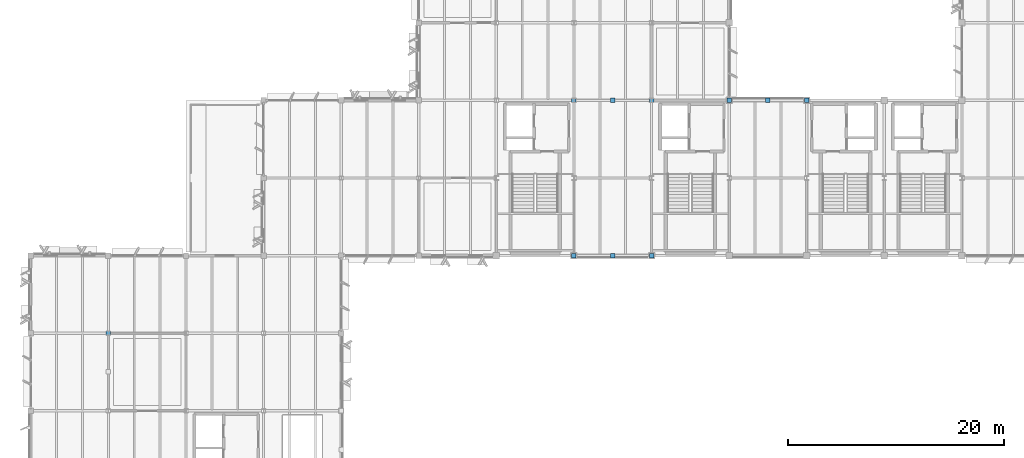
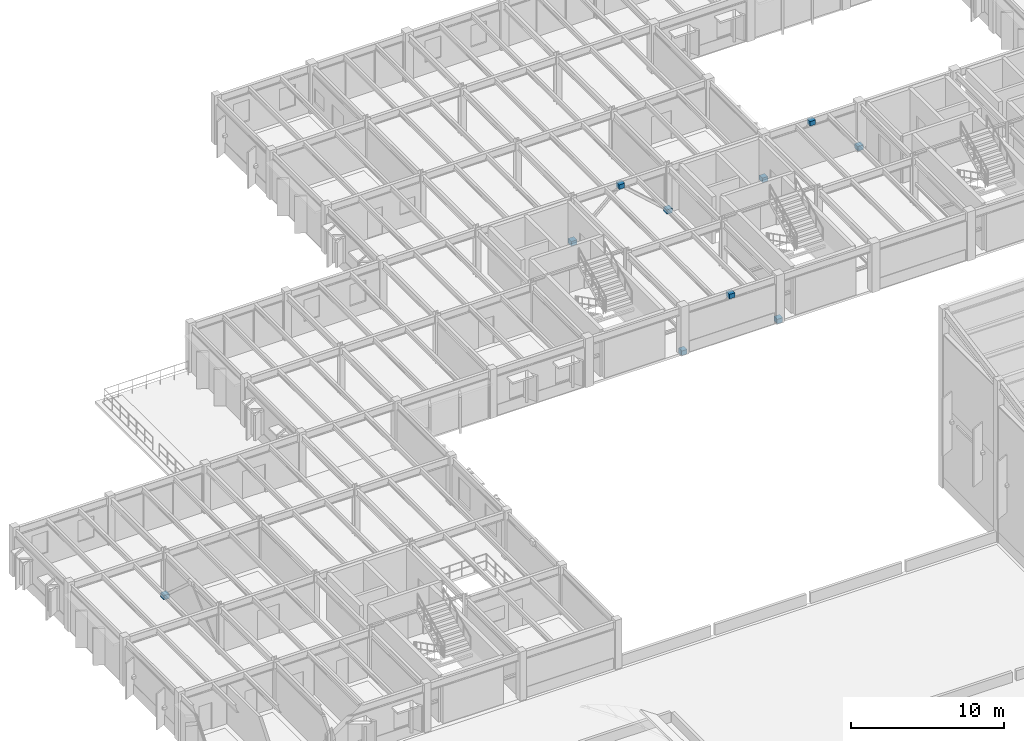
# One storey, part 29 of 82: 10 plates.
"""IFC4 building model written with IfcOpenShell, lengths in metres."""

from ifc_helpers import new_model, si_unit, direction, frame, origin, origin_2d, place, context, subcontext, project, spatial, rectangle, extrude, material, type_object, element, save


model = new_model("IFC4")

# Units and contexts
model_context = context("Model", 3, precision=1e-05, world=origin(), true_north=direction((0.0, 1.0)))
body_context = subcontext(model_context, "Body", "Model", "MODEL_VIEW")
ifc_project = project(units=[si_unit("LENGTHUNIT", "METRE"), si_unit("AREAUNIT", "SQUARE_METRE"), si_unit("VOLUMEUNIT", "CUBIC_METRE"), si_unit("PLANEANGLEUNIT", "RADIAN"), si_unit("MASSUNIT", "GRAM", prefix="KILO")], contexts=[model_context])

# Site, building, storey
site_placement = place(None, origin())
site = spatial("IfcSite", under=ifc_project, at=site_placement, CompositionType="ELEMENT")
building_placement = place(site_placement, origin())
building = spatial("IfcBuilding", under=site, at=building_placement, Name="Sillqori Civic Hall", CompositionType="ELEMENT")
storey_placement = place(building_placement, frame((0.0, 0.0, 14.10009765625)))
storey = spatial("IfcBuildingStorey", under=building, at=storey_placement, Name="L04", CompositionType="ELEMENT", Elevation=14.10009765625)

# Plates
ifc_material = material(Name="Steel ASTM A36", Category="steel")
plate_type = type_object("IfcPlateType", Name="PLT-GUSSET-20", PredefinedType="SHEET", material=ifc_material)
for number, where, z_axis, x_axis, name in (
    (1, (61.199951171875, 79.199951171875, 3.2197265625), (0.0, 0.0, 1.0), (1.0, 0.0, 0.0), "L04 chevron brace node plate APX"),
    (2, (57.60009765625, 79.199951171875, -0.0302734375), (0.0, 0.0, 1.0), (1.0, 0.0, 0.0), "L04 chevron brace node plate BSL"),
    (3, (64.800048828125, 79.199951171875, -0.0302734375), (0.0, 0.0, 1.0), (1.0, 0.0, 0.0), "L04 chevron brace node plate BSR"),
    (4, (61.199951171875, 93.60009765625, 3.2197265625), (0.0, 0.0, 1.0), (1.0, 0.0, 0.0), "L04 chevron brace node plate APX"),
    (5, (57.60009765625, 93.60009765625, -0.0302734375), (0.0, 0.0, 1.0), (1.0, 0.0, 0.0), "L04 chevron brace node plate BSL"),
    (6, (64.800048828125, 93.60009765625, -0.0302734375), (0.0, 0.0, 1.0), (1.0, 0.0, 0.0), "L04 chevron brace node plate BSR"),
    (7, (75.60009765625, 93.60009765625, 3.2197265625), (0.0, 0.0, 1.0), (1.0, 0.0, 0.0), "L04 chevron brace node plate APX"),
    (8, (72.0, 93.60009765625, -0.0302734375), (0.0, 0.0, 1.0), (1.0, 0.0, 0.0), "L04 chevron brace node plate BSL"),
    (9, (79.199951171875, 93.60009765625, -0.0302734375), (0.0, 0.0, 1.0), (1.0, 0.0, 0.0), "L04 chevron brace node plate BSR"),
    (10, (14.39990234375, 72.0, -0.0302734375), (0.0, 0.0, 1.0), (1.0, 0.0, 0.0), "L04 chevron brace node plate BSR"),
):
    element("IfcPlate", number, at=place(storey_placement, frame(where, z_axis=z_axis, x_axis=x_axis)), inside=storey, type_object=plate_type, Name=name, PredefinedType="SHEET", context=body_context, shape_type="SweptSolid", body=[
        extrude(rectangle(XDim=0.419921875, YDim=0.419921875, at=origin_2d()), origin(), (0.0, 0.0, 1.0), 0.360107421875),
    ])

save(model, "model.ifc")
